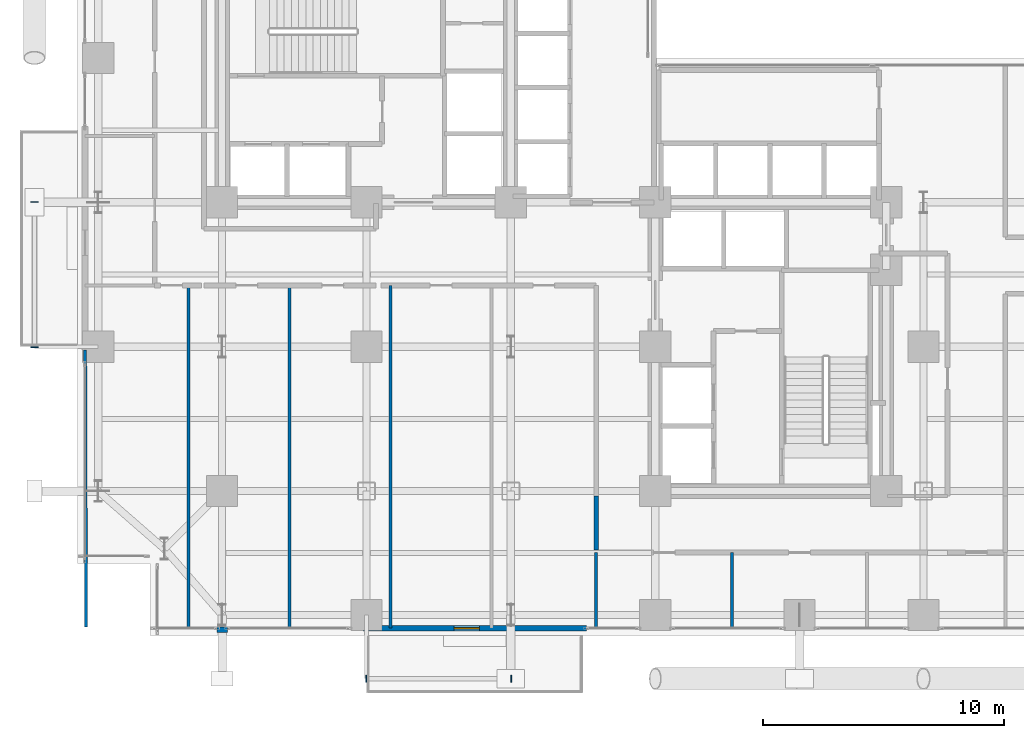
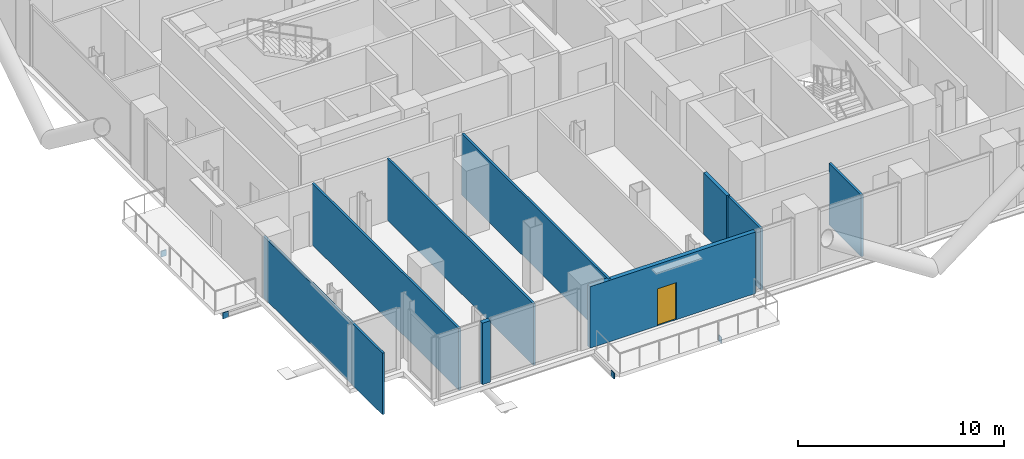
# One storey, part 19 of 25: 9 walls, 4 plates, 1 door, 1 opening.
"""IFC4 building model written with IfcOpenShell, lengths in metres."""

from ifc_helpers import new_model, si_unit, direction, frame, frame_2d, origin, origin_2d, place, context, subcontext, project, spatial, rectangle, extrude, material, layer, layer_set, type_object, element, fill, save


model = new_model("IFC4")

# Units and contexts
model_context = context("Model", 3, precision=1e-05, world=origin(), true_north=direction((0.0, 1.0)))
body_context = subcontext(model_context, "Body", "Model", "MODEL_VIEW")
ifc_project = project(units=[si_unit("LENGTHUNIT", "METRE"), si_unit("AREAUNIT", "SQUARE_METRE"), si_unit("VOLUMEUNIT", "CUBIC_METRE"), si_unit("PLANEANGLEUNIT", "RADIAN"), si_unit("MASSUNIT", "GRAM", prefix="KILO"), si_unit("THERMODYNAMICTEMPERATUREUNIT", "KELVIN"), si_unit("POWERUNIT", "WATT")], contexts=[model_context])

# Site, building, storey
site_placement = place(None, origin())
site = spatial("IfcSite", under=ifc_project, at=site_placement, CompositionType="ELEMENT")
building_placement = place(site_placement, origin())
building = spatial("IfcBuilding", under=site, at=building_placement, Name="Svarakhadi Broadcast Tower", CompositionType="ELEMENT")
storey_placement = place(building_placement, frame((0.0, 0.0, 48.0)))
storey = spatial("IfcBuildingStorey", under=building, at=storey_placement, Name="L10", CompositionType="ELEMENT", Elevation=48.0)

# Plates
ifc_material_1 = material(Name="Steel S460ML (IS 2062 E450BR)", Category="steel")
ifc_layer_1 = layer(ifc_material_1, 0.028076171875)
ifc_layer_set_1 = layer_set([ifc_layer_1], Name="Steel S460ML (IS 2062 E450BR)")
plate_type = type_object("IfcPlateType", Name="Cap_Plate_CP02", PredefinedType="USERDEFINED", material=ifc_layer_set_1)
for number, where, z_axis, x_axis, name in (
    (1, (11.985107421875, -1.800048828125, -0.580078125), (0.0, 0.0, 1.0), (1.0, 0.0, 0.0), "L10 Balcony Spandrel End Cap Plate 1F-A"),
    (2, (18.014892578125, -1.800048828125, -0.580078125), (0.0, 0.0, 1.0), (1.0, 0.0, 0.0), "L10 Balcony Spandrel End Cap Plate 1F-B"),
):
    element("IfcPlate", number, at=place(storey_placement, frame(where, z_axis=z_axis, x_axis=x_axis)), inside=storey, type_object=plate_type, Name=name, ObjectType="FLANGE_PLATE", PredefinedType="USERDEFINED", context=body_context, shape_type="SweptSolid", body=[
        extrude(rectangle(XDim=0.0400390625, YDim=0.300048828125, at=origin_2d()), origin(), (0.0, 0.0, 1.0), 0.360107421875),
    ])
for number, where, z_axis, x_axis, name in (
    (3, (-1.800048828125, 11.985107421875, -0.580078125), (0.0, 0.0, 1.0), (1.0, 0.0, 0.0), "L10 Balcony Spandrel End Cap Plate 2F-A"),
    (4, (-1.800048828125, 18.014892578125, -0.580078125), (0.0, 0.0, 1.0), (1.0, 0.0, 0.0), "L10 Balcony Spandrel End Cap Plate 2F-B"),
):
    element("IfcPlate", number, at=place(storey_placement, frame(where, z_axis=z_axis, x_axis=x_axis)), inside=storey, type_object=plate_type, Name=name, ObjectType="FLANGE_PLATE", PredefinedType="USERDEFINED", context=body_context, shape_type="SweptSolid", body=[
        extrude(rectangle(XDim=0.300048828125, YDim=0.0400390625, at=origin_2d()), origin(), (0.0, 0.0, 1.0), 0.360107421875),
    ])

# Wall
ifc_material_2 = material(Name="Double-Stud Acoustic Studio Partition STC-62", Category="gypsum")
ifc_layer_2 = layer(ifc_material_2, 0.199951171875)
ifc_layer_set_2 = layer_set([ifc_layer_2], Name="Double-Stud Acoustic Studio Partition STC-62")
wall_type_1 = type_object("IfcWallType", Name="Wall_Acoust_200", PredefinedType="PARTITIONING", material=ifc_layer_set_2)
wall_1_placement = place(storey_placement, frame((21.550048828125, 3.550048828125, 0.0), z_axis=(0.0, 0.0, 1.0), x_axis=(0.0, 1.0, 0.0)))
element("IfcWall", 5, at=wall_1_placement, inside=storey, type_object=wall_type_1, Name="L10 Broadcast Corridor Wall", PredefinedType="PARTITIONING", context=body_context, shape_type="SweptSolid", body=[
    extrude(rectangle(XDim=2.25, YDim=0.199951171875, at=frame_2d((1.125, 0.0))), origin(), (0.0, 0.0, 1.0), 3.64990234375),
])

# Wall, opening, door
ifc_material_3 = material(Name="Concrete C40/50 (IS 456 M50)", Category="concrete")
ifc_layer_3 = layer(ifc_material_3, 0.239990234375)
ifc_layer_set_3 = layer_set([ifc_layer_3], Name="Concrete C40/50 (IS 456 M50)")
wall_type_2 = type_object("IfcWallType", Name="Wall_Ext_240", PredefinedType="SOLIDWALL", material=ifc_layer_set_3)
wall_2_placement = place(storey_placement, frame((21.14501953125, 0.300048828125, 0.0), z_axis=(0.0, 0.0, 1.0), x_axis=(-1.0, 0.0, 0.0)))
wall_2 = element("IfcWall", 6, at=wall_2_placement, inside=storey, type_object=wall_type_2, Name="L10 South Tree Balcony Spandrel Wall", PredefinedType="SOLIDWALL", context=body_context, shape_type="SweptSolid", body=[
    extrude(rectangle(XDim=9.2900390625, YDim=0.239990234375, at=frame_2d((4.64501953125, 0.0))), origin(), (0.0, 0.0, 1.0), 3.64990234375),
])
opening_placement = place(wall_2_placement, frame((4.449951171875, 0.0, 0.0)))
opening = element("IfcOpeningElement", 7, at=opening_placement, cuts=wall_2, Name="Opening ED-06", PredefinedType="OPENING", context=body_context, shape_type="SweptSolid", body=[
    extrude(rectangle(XDim=1.050048828125, YDim=2.199951171875, at=frame_2d((0.52490234375, 1.10009765625))), frame((0.0, 0.1298828125, 0.0), z_axis=(0.0, -1.0, 0.0), x_axis=(1.0, 0.0, 0.0)), (0.0, 0.0, 1.0), 0.260009765625),
])
ifc_material_4 = material(Name="Anodised Bronze Aluminium AA 6063-T6", Category="aluminium")
door_type = type_object("IfcDoorType", Name="Door_Ext_ED06", OperationType="SINGLE_SWING_RIGHT", PredefinedType="DOOR", material=ifc_material_4)
door_placement = place(opening_placement, origin())
door = element("IfcDoor", 8, at=door_placement, inside=storey, type_object=door_type, Name="L10 South Tree Balcony Door", OperationType="SINGLE_SWING_RIGHT", OverallHeight=2.199951171875, OverallWidth=1.050048828125, PredefinedType="DOOR", context=body_context, shape_type="SweptSolid", body=[
    extrude(rectangle(XDim=1.050048828125, YDim=2.199951171875, at=frame_2d((0.52490234375, 1.10009765625))), frame((0.0, 0.02490234375, 0.0), z_axis=(0.0, -1.0, 0.0), x_axis=(1.0, 0.0, 0.0)), (0.0, 0.0, 1.0), 0.050048828125),
])
fill(opening, door)

# Walls
wall_3_placement = place(storey_placement, frame((6.215087890625, 0.239990234375, 0.0), z_axis=(0.0, 0.0, 1.0), x_axis=(-1.0, 0.0, 0.0)))
element("IfcWall", 9, at=wall_3_placement, inside=storey, type_object=wall_type_2, Name="L10 Perimeter Bronze Spandrel Closure Wall 06", PredefinedType="SOLIDWALL", context=body_context, shape_type="SweptSolid", body=[
    extrude(rectangle(XDim=0.43017578125, YDim=0.239990234375, at=frame_2d((0.215087890625, 0.0))), origin(), (0.0, 0.0, 1.0), 3.64990234375),
])
ifc_material_5 = material(Name="Fire-Rated Moisture-Resistant Gypsum Board Partition", Category="gypsum")
ifc_layer_4 = layer(ifc_material_5, 0.125)
ifc_layer_set_4 = layer_set([ifc_layer_4], Name="Fire-Rated Moisture-Resistant Gypsum Board Partition")
wall_type_3 = type_object("IfcWallType", Name="Wall_Part_125", PredefinedType="PARTITIONING", material=ifc_layer_set_4)
wall_4_placement = place(storey_placement, frame((0.35009765625, 0.35009765625, 0.0), z_axis=(0.0, 0.0, 1.0), x_axis=(-0.003522599314, 0.999993795628, 0.0)))
element("IfcWall", 10, at=wall_4_placement, inside=storey, type_object=wall_type_3, Name="L10 Video Edit Pod 1 Wall", PredefinedType="PARTITIONING", context=body_context, shape_type="SweptSolid", body=[
    extrude(rectangle(XDim=11.5048828125, YDim=0.125, at=frame_2d((5.75244140625, 0.0))), origin(), (0.0, 0.0, 1.0), 3.64990234375),
])
for number, where, z_axis, x_axis, name in (
    (11, (4.60009765625, 0.300048828125, 0.0), (0.0, 0.0, 1.0), (0.0, 1.0, 0.0), "L10 Video Edit Pod 1 Wall"),
    (12, (8.800048828125, 0.300048828125, 0.0), (0.0, 0.0, 1.0), (0.0, 1.0, 0.0), "L10 Video Edit Pod 2 Wall"),
    (13, (13.0, 0.300048828125, 0.0), (0.0, 0.0, 1.0), (0.0, 1.0, 0.0), "L10 Audio Mix Room Wall"),
):
    element("IfcWall", number, at=place(storey_placement, frame(where, z_axis=z_axis, x_axis=x_axis)), inside=storey, type_object=wall_type_3, Name=name, PredefinedType="PARTITIONING", context=body_context, shape_type="SweptSolid", body=[
        extrude(rectangle(XDim=14.25, YDim=0.125, at=frame_2d((7.125, 0.0))), origin(), (0.0, 0.0, 1.0), 3.64990234375),
    ])
for number, where, z_axis, x_axis, name in (
    (14, (21.550048828125, 0.300048828125, 0.0), (0.0, 0.0, 1.0), (0.0, 1.0, 0.0), "L10 South Harbour Editorial Desk Wall"),
    (15, (27.199951171875, 0.300048828125, 0.0), (0.0, 0.0, 1.0), (0.0, 1.0, 0.0), "L10 South Harbour Editorial Desk Wall"),
):
    element("IfcWall", number, at=place(storey_placement, frame(where, z_axis=z_axis, x_axis=x_axis)), inside=storey, type_object=wall_type_3, Name=name, PredefinedType="PARTITIONING", context=body_context, shape_type="SweptSolid", body=[
        extrude(rectangle(XDim=3.14990234375, YDim=0.125, at=frame_2d((1.574951171875, 0.0))), origin(), (0.0, 0.0, 1.0), 3.64990234375),
    ])

save(model, "model.ifc")
